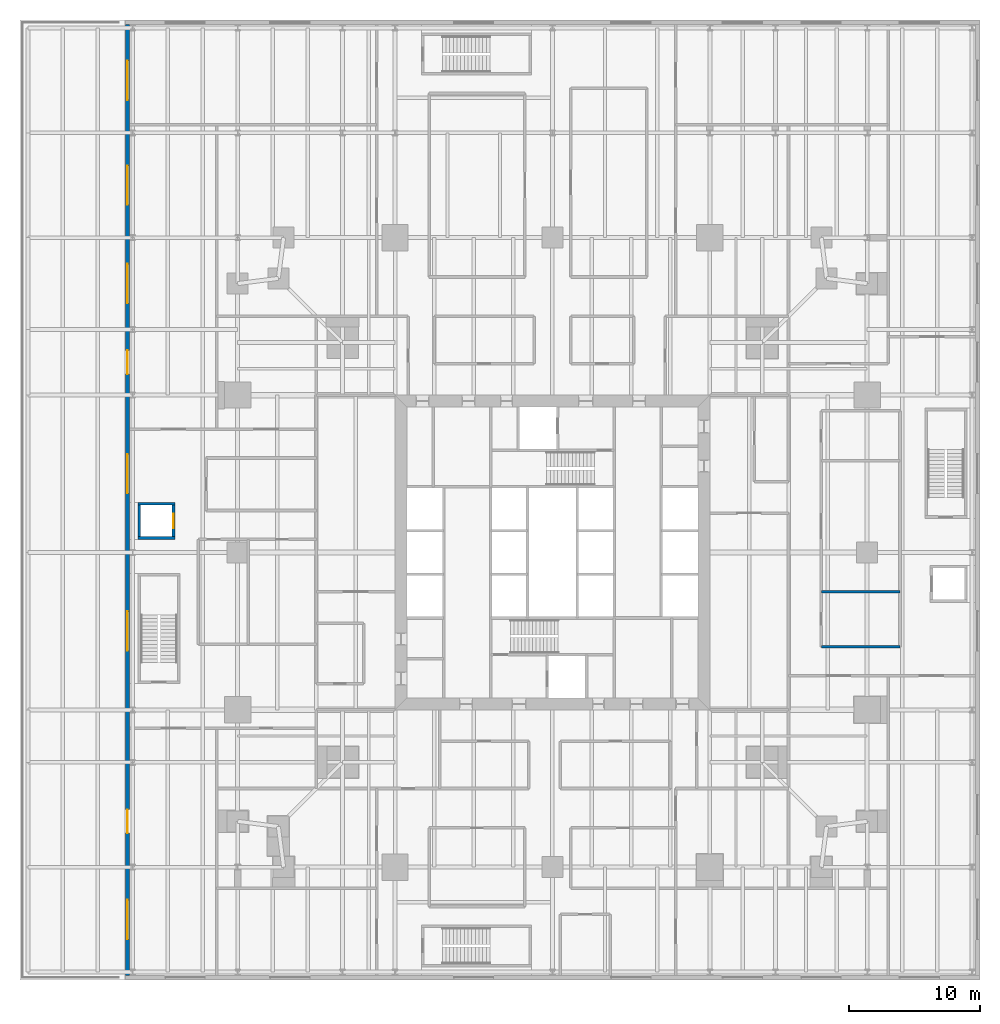
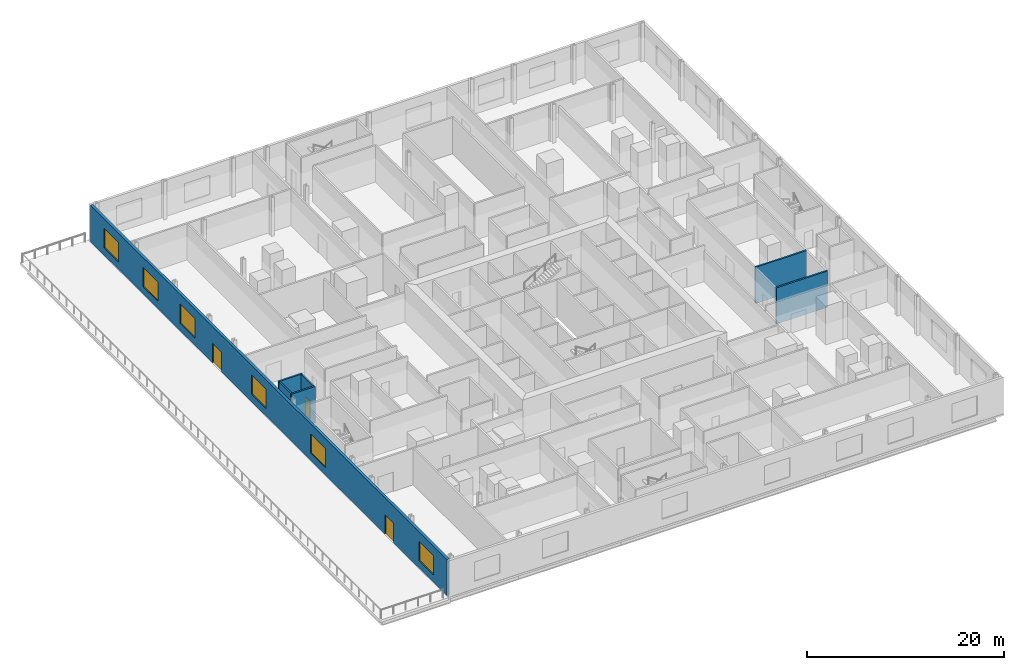
# One storey, part 10 of 17: 7 walls, 6 windows, 3 doors, 9 openings.
"""IFC4 building model written with IfcOpenShell, lengths in metres."""

from ifc_helpers import new_model, si_unit, direction, frame, frame_2d, origin, place, context, subcontext, project, spatial, rectangle, extrude, material, layer, layer_set, type_object, element, fill, save


model = new_model("IFC4")

# Units and contexts
model_context = context("Model", 3, precision=1e-05, world=origin(), true_north=direction((0.0, 1.0)))
body_context = subcontext(model_context, "Body", "Model", "MODEL_VIEW")
ifc_project = project(units=[si_unit("LENGTHUNIT", "METRE"), si_unit("AREAUNIT", "SQUARE_METRE"), si_unit("VOLUMEUNIT", "CUBIC_METRE"), si_unit("PLANEANGLEUNIT", "RADIAN"), si_unit("MASSUNIT", "GRAM", prefix="KILO")], contexts=[model_context])

# Site, building, storey
site_placement = place(None, origin())
site = spatial("IfcSite", under=ifc_project, at=site_placement, CompositionType="ELEMENT")
building_placement = place(site_placement, origin())
building = spatial("IfcBuilding", under=site, at=building_placement, Name="Fenwick Lantern Interchange", CompositionType="ELEMENT")
storey_placement = place(building_placement, frame((0.0, 0.0, 21.39990234375)))
storey = spatial("IfcBuildingStorey", under=building, at=storey_placement, Name="L04", CompositionType="ELEMENT", Elevation=21.39990234375)

# Wall
ifc_material_1 = material(Name="Concrete masonry ASTM C90 Grade N", Category="masonry")
ifc_layer_1 = layer(ifc_material_1, 0.199951171875)
ifc_layer_set_1 = layer_set([ifc_layer_1], Name="Concrete masonry ASTM C90 Grade N")
wall_type_1 = type_object("IfcWallType", Name="LIFT SHAFT WALL 200", PredefinedType="PARTITIONING", material=ifc_layer_set_1)
wall_1_placement = place(storey_placement, frame((-6.60009765625, 26.10009765625, 0.0), z_axis=(0.0, 0.0, 1.0), x_axis=(1.0, 0.0, 0.0)))
element("IfcWall", 1, at=wall_1_placement, inside=storey, type_object=wall_type_1, Name="L04/W/PL1/S", PredefinedType="PARTITIONING", context=body_context, shape_type="SweptSolid", body=[
    extrude(rectangle(XDim=2.800048828125, YDim=0.199951171875, at=frame_2d((1.39990234375, 0.0))), origin(), (0.0, 0.0, 1.0), 4.5),
])

# Wall, opening, door
wall_2_placement = place(storey_placement, frame((-3.89990234375, 26.199951171875, 0.0), z_axis=(0.0, 0.0, 1.0), x_axis=(0.0, 1.0, 0.0)))
wall_2 = element("IfcWall", 2, at=wall_2_placement, inside=storey, type_object=wall_type_1, Name="L04/W/PL1/E", PredefinedType="PARTITIONING", context=body_context, shape_type="SweptSolid", body=[
    extrude(rectangle(XDim=2.400146484375, YDim=0.199951171875, at=frame_2d((1.2001953125, 0.0))), origin(), (0.0, 0.0, 1.0), 4.5),
])
opening_1_placement = place(wall_2_placement, frame((0.64990234375, 0.0, 0.0)))
opening_1 = element("IfcOpeningElement", 3, at=opening_1_placement, cuts=wall_2, Name="Opening LD-PL1", PredefinedType="OPENING", context=body_context, shape_type="SweptSolid", body=[
    extrude(rectangle(XDim=1.10009765625, YDim=2.199951171875, at=frame_2d((0.550048828125, 1.10009765625))), frame((0.0, 0.10986328125, 0.0), z_axis=(0.0, -1.0, 0.0), x_axis=(1.0, 0.0, 0.0)), (0.0, 0.0, 1.0), 0.219970703125),
])
ifc_material_2 = material(Name="Steel door and frame", Category="steel")
door_type_1 = type_object("IfcDoorType", Name="LIFT LANDING DOOR 1100 X 2200", OperationType="DOUBLE_DOOR_SLIDING", PredefinedType="DOOR", material=ifc_material_2)
door_1_placement = place(opening_1_placement, origin())
door_1 = element("IfcDoor", 4, at=door_1_placement, inside=storey, type_object=door_type_1, Name="Lift landing door PL1", OperationType="DOUBLE_DOOR_SLIDING", OverallHeight=2.199951171875, OverallWidth=1.10009765625, PredefinedType="DOOR", context=body_context, shape_type="SweptSolid", body=[
    extrude(rectangle(XDim=1.10009765625, YDim=2.199951171875, at=frame_2d((0.550048828125, 1.10009765625))), frame((0.0, 0.02490234375, 0.0), z_axis=(0.0, -1.0, 0.0), x_axis=(1.0, 0.0, 0.0)), (0.0, 0.0, 1.0), 0.050048828125),
])
fill(opening_1, door_1)

# Walls
wall_3_placement = place(storey_placement, frame((-3.800048828125, 28.699951171875, 0.0), z_axis=(0.0, 0.0, 1.0), x_axis=(-1.0, 0.0, 0.0)))
element("IfcWall", 5, at=wall_3_placement, inside=storey, type_object=wall_type_1, Name="L04/W/PL1/N", PredefinedType="PARTITIONING", context=body_context, shape_type="SweptSolid", body=[
    extrude(rectangle(XDim=2.800048828125, YDim=0.199951171875, at=frame_2d((1.39990234375, 0.0))), origin(), (0.0, 0.0, 1.0), 4.5),
])
wall_4_placement = place(storey_placement, frame((-6.5, 28.60009765625, 0.0), z_axis=(0.0, 0.0, 1.0), x_axis=(0.0, -1.0, 0.0)))
element("IfcWall", 6, at=wall_4_placement, inside=storey, type_object=wall_type_1, Name="L04/W/PL1/W", PredefinedType="PARTITIONING", context=body_context, shape_type="SweptSolid", body=[
    extrude(rectangle(XDim=2.400146484375, YDim=0.199951171875, at=frame_2d((1.2001953125, 0.0))), origin(), (0.0, 0.0, 1.0), 4.5),
])

# Wall, openings, doors, windows
ifc_material_3 = material(Name="Limestone ASTM C568 Classification II", Category="masonry")
ifc_layer_2 = layer(ifc_material_3, 0.074951171875)
ifc_material_4 = material(Name="Mineral wool insulation")
ifc_layer_3 = layer(ifc_material_4, 0.125)
ifc_material_5 = material(Name="Cold-formed galvanised steel studs", Category="steel")
ifc_layer_4 = layer(ifc_material_5, 0.10009765625)
ifc_layer_set_2 = layer_set([ifc_layer_2, ifc_layer_3, ifc_layer_4], Name="Limestone ASTM C568 Classification II")
wall_type_2 = type_object("IfcWallType", Name="LIMESTONE RAINSCREEN WALL 300", PredefinedType="SOLIDWALL", material=ifc_layer_set_2)
wall_5_placement = place(storey_placement, frame((-7.39990234375, 65.25, 0.0), z_axis=(0.0, 0.0, 1.0), x_axis=(0.0, -1.0, 0.0)))
wall_5 = element("IfcWall", 7, at=wall_5_placement, inside=storey, type_object=wall_type_2, Name="L04/EW/W", PredefinedType="SOLIDWALL", context=body_context, shape_type="SweptSolid", body=[
    extrude(rectangle(XDim=72.5, YDim=0.300048828125, at=frame_2d((36.25, 0.0))), origin(), (0.0, 0.0, 1.0), 4.5),
])
opening_2_placement = place(wall_5_placement, frame((24.85009765625, 0.0, 0.0)))
opening_2 = element("IfcOpeningElement", 8, at=opening_2_placement, cuts=wall_5, Name="Opening L04-D001", PredefinedType="OPENING", context=body_context, shape_type="SweptSolid", body=[
    extrude(rectangle(XDim=1.800048828125, YDim=2.39990234375, at=frame_2d((0.89990234375, 1.199951171875))), frame((0.0, 0.159912109375, 0.0), z_axis=(0.0, -1.0, 0.0), x_axis=(1.0, 0.0, 0.0)), (0.0, 0.0, 1.0), 0.320068359375),
])
opening_3_placement = place(wall_5_placement, frame((59.85009765625, 0.0, 0.0)))
opening_3 = element("IfcOpeningElement", 9, at=opening_3_placement, cuts=wall_5, Name="Opening L04-D002", PredefinedType="OPENING", context=body_context, shape_type="SweptSolid", body=[
    extrude(rectangle(XDim=1.800048828125, YDim=2.39990234375, at=frame_2d((0.89990234375, 1.199951171875))), frame((0.0, 0.159912109375, 0.0), z_axis=(0.0, -1.0, 0.0), x_axis=(1.0, 0.0, 0.0)), (0.0, 0.0, 1.0), 0.320068359375),
])
opening_4_placement = place(wall_5_placement, frame((66.75, 0.0, 0.89990234375)))
opening_4 = element("IfcOpeningElement", 10, at=opening_4_placement, cuts=wall_5, Name="Opening W1", PredefinedType="OPENING", context=body_context, shape_type="SweptSolid", body=[
    extrude(rectangle(XDim=3.0, YDim=2.39990234375, at=frame_2d((1.5, 1.199951171875))), frame((0.0, 0.159912109375, 0.0), z_axis=(0.0, -1.0, 0.0), x_axis=(1.0, 0.0, 0.0)), (0.0, 0.0, 1.0), 0.320068359375),
])
opening_5_placement = place(wall_5_placement, frame((44.75, 0.0, 0.89990234375)))
opening_5 = element("IfcOpeningElement", 11, at=opening_5_placement, cuts=wall_5, Name="Opening W1", PredefinedType="OPENING", context=body_context, shape_type="SweptSolid", body=[
    extrude(rectangle(XDim=3.0, YDim=2.39990234375, at=frame_2d((1.5, 1.199951171875))), frame((0.0, 0.159912109375, 0.0), z_axis=(0.0, -1.0, 0.0), x_axis=(1.0, 0.0, 0.0)), (0.0, 0.0, 1.0), 0.320068359375),
])
opening_6_placement = place(wall_5_placement, frame((32.75, 0.0, 0.89990234375)))
opening_6 = element("IfcOpeningElement", 12, at=opening_6_placement, cuts=wall_5, Name="Opening W1", PredefinedType="OPENING", context=body_context, shape_type="SweptSolid", body=[
    extrude(rectangle(XDim=3.0, YDim=2.39990234375, at=frame_2d((1.5, 1.199951171875))), frame((0.0, 0.159912109375, 0.0), z_axis=(0.0, -1.0, 0.0), x_axis=(1.0, 0.0, 0.0)), (0.0, 0.0, 1.0), 0.320068359375),
])
opening_7_placement = place(wall_5_placement, frame((18.25, 0.0, 0.89990234375)))
opening_7 = element("IfcOpeningElement", 13, at=opening_7_placement, cuts=wall_5, Name="Opening W1", PredefinedType="OPENING", context=body_context, shape_type="SweptSolid", body=[
    extrude(rectangle(XDim=3.0, YDim=2.39990234375, at=frame_2d((1.5, 1.199951171875))), frame((0.0, 0.159912109375, 0.0), z_axis=(0.0, -1.0, 0.0), x_axis=(1.0, 0.0, 0.0)), (0.0, 0.0, 1.0), 0.320068359375),
])
opening_8_placement = place(wall_5_placement, frame((10.75, 0.0, 0.89990234375)))
opening_8 = element("IfcOpeningElement", 14, at=opening_8_placement, cuts=wall_5, Name="Opening W1", PredefinedType="OPENING", context=body_context, shape_type="SweptSolid", body=[
    extrude(rectangle(XDim=3.0, YDim=2.39990234375, at=frame_2d((1.5, 1.199951171875))), frame((0.0, 0.159912109375, 0.0), z_axis=(0.0, -1.0, 0.0), x_axis=(1.0, 0.0, 0.0)), (0.0, 0.0, 1.0), 0.320068359375),
])
opening_9_placement = place(wall_5_placement, frame((2.75, 0.0, 0.89990234375)))
opening_9 = element("IfcOpeningElement", 15, at=opening_9_placement, cuts=wall_5, Name="Opening W1", PredefinedType="OPENING", context=body_context, shape_type="SweptSolid", body=[
    extrude(rectangle(XDim=3.0, YDim=2.39990234375, at=frame_2d((1.5, 1.199951171875))), frame((0.0, 0.159912109375, 0.0), z_axis=(0.0, -1.0, 0.0), x_axis=(1.0, 0.0, 0.0)), (0.0, 0.0, 1.0), 0.320068359375),
])
ifc_material_6 = material(Name="Aluminium glazed door", Category="aluminium")
door_type_2 = type_object("IfcDoorType", Name="ENTRANCE DOOR PAIR 1800 X 2400", OperationType="DOUBLE_DOOR_SINGLE_SWING", PredefinedType="DOOR", material=ifc_material_6)
door_2_placement = place(opening_2_placement, origin())
door_2 = element("IfcDoor", 16, at=door_2_placement, inside=storey, type_object=door_type_2, Name="Entrance door pair", OperationType="DOUBLE_DOOR_SINGLE_SWING", OverallHeight=2.39990234375, OverallWidth=1.800048828125, PredefinedType="DOOR", context=body_context, shape_type="SweptSolid", body=[
    extrude(rectangle(XDim=1.800048828125, YDim=2.39990234375, at=frame_2d((0.89990234375, 1.199951171875))), frame((0.0, 0.02490234375, 0.0), z_axis=(0.0, -1.0, 0.0), x_axis=(1.0, 0.0, 0.0)), (0.0, 0.0, 1.0), 0.050048828125),
])
fill(opening_2, door_2)
door_3_placement = place(opening_3_placement, origin())
door_3 = element("IfcDoor", 17, at=door_3_placement, inside=storey, type_object=door_type_2, Name="Entrance door pair", OperationType="DOUBLE_DOOR_SINGLE_SWING", OverallHeight=2.39990234375, OverallWidth=1.800048828125, PredefinedType="DOOR", context=body_context, shape_type="SweptSolid", body=[
    extrude(rectangle(XDim=1.800048828125, YDim=2.39990234375, at=frame_2d((0.89990234375, 1.199951171875))), frame((0.0, 0.02490234375, 0.0), z_axis=(0.0, -1.0, 0.0), x_axis=(1.0, 0.0, 0.0)), (0.0, 0.0, 1.0), 0.050048828125),
])
fill(opening_3, door_3)
ifc_material_7 = material(Name="Aluminium window, clear glass", Category="aluminium")
window_type = type_object("IfcWindowType", Name="PODIUM WINDOW 3000 X 2400", PartitioningType="SINGLE_PANEL", PredefinedType="WINDOW", material=ifc_material_7)
window_1_placement = place(opening_4_placement, origin())
window_1 = element("IfcWindow", 18, at=window_1_placement, inside=storey, type_object=window_type, Name="Podium window", OverallHeight=2.39990234375, OverallWidth=3.0, PartitioningType="SINGLE_PANEL", PredefinedType="WINDOW", context=body_context, shape_type="SweptSolid", body=[
    extrude(rectangle(XDim=3.0, YDim=2.39990234375, at=frame_2d((1.5, 1.199951171875))), frame((0.0, 0.030029296875, 0.0), z_axis=(0.0, -1.0, 0.0), x_axis=(1.0, 0.0, 0.0)), (0.0, 0.0, 1.0), 0.06005859375),
])
fill(opening_4, window_1)
window_2_placement = place(opening_5_placement, origin())
window_2 = element("IfcWindow", 19, at=window_2_placement, inside=storey, type_object=window_type, Name="Podium window", OverallHeight=2.39990234375, OverallWidth=3.0, PartitioningType="SINGLE_PANEL", PredefinedType="WINDOW", context=body_context, shape_type="SweptSolid", body=[
    extrude(rectangle(XDim=3.0, YDim=2.39990234375, at=frame_2d((1.5, 1.199951171875))), frame((0.0, 0.030029296875, 0.0), z_axis=(0.0, -1.0, 0.0), x_axis=(1.0, 0.0, 0.0)), (0.0, 0.0, 1.0), 0.06005859375),
])
fill(opening_5, window_2)
window_3_placement = place(opening_6_placement, origin())
window_3 = element("IfcWindow", 20, at=window_3_placement, inside=storey, type_object=window_type, Name="Podium window", OverallHeight=2.39990234375, OverallWidth=3.0, PartitioningType="SINGLE_PANEL", PredefinedType="WINDOW", context=body_context, shape_type="SweptSolid", body=[
    extrude(rectangle(XDim=3.0, YDim=2.39990234375, at=frame_2d((1.5, 1.199951171875))), frame((0.0, 0.030029296875, 0.0), z_axis=(0.0, -1.0, 0.0), x_axis=(1.0, 0.0, 0.0)), (0.0, 0.0, 1.0), 0.06005859375),
])
fill(opening_6, window_3)
window_4_placement = place(opening_7_placement, origin())
window_4 = element("IfcWindow", 21, at=window_4_placement, inside=storey, type_object=window_type, Name="Podium window", OverallHeight=2.39990234375, OverallWidth=3.0, PartitioningType="SINGLE_PANEL", PredefinedType="WINDOW", context=body_context, shape_type="SweptSolid", body=[
    extrude(rectangle(XDim=3.0, YDim=2.39990234375, at=frame_2d((1.5, 1.199951171875))), frame((0.0, 0.030029296875, 0.0), z_axis=(0.0, -1.0, 0.0), x_axis=(1.0, 0.0, 0.0)), (0.0, 0.0, 1.0), 0.06005859375),
])
fill(opening_7, window_4)
window_5_placement = place(opening_8_placement, origin())
window_5 = element("IfcWindow", 22, at=window_5_placement, inside=storey, type_object=window_type, Name="Podium window", OverallHeight=2.39990234375, OverallWidth=3.0, PartitioningType="SINGLE_PANEL", PredefinedType="WINDOW", context=body_context, shape_type="SweptSolid", body=[
    extrude(rectangle(XDim=3.0, YDim=2.39990234375, at=frame_2d((1.5, 1.199951171875))), frame((0.0, 0.030029296875, 0.0), z_axis=(0.0, -1.0, 0.0), x_axis=(1.0, 0.0, 0.0)), (0.0, 0.0, 1.0), 0.06005859375),
])
fill(opening_8, window_5)
window_6_placement = place(opening_9_placement, origin())
window_6 = element("IfcWindow", 23, at=window_6_placement, inside=storey, type_object=window_type, Name="Podium window", OverallHeight=2.39990234375, OverallWidth=3.0, PartitioningType="SINGLE_PANEL", PredefinedType="WINDOW", context=body_context, shape_type="SweptSolid", body=[
    extrude(rectangle(XDim=3.0, YDim=2.39990234375, at=frame_2d((1.5, 1.199951171875))), frame((0.0, 0.030029296875, 0.0), z_axis=(0.0, -1.0, 0.0), x_axis=(1.0, 0.0, 0.0)), (0.0, 0.0, 1.0), 0.06005859375),
])
fill(opening_9, window_6)

# Walls
ifc_material_8 = material(Name="Gypsum board on steel studs, 1 hour", Category="steel")
ifc_layer_5 = layer(ifc_material_8, 0.199951171875)
ifc_layer_set_3 = layer_set([ifc_layer_5], Name="ROOM WALL 200")
wall_type_3 = type_object("IfcWallType", Name="ROOM WALL 200", PredefinedType="PARTITIONING", material=ifc_layer_set_3)
for number, where, z_axis, x_axis, name in (
    (24, (45.5, 17.800048828125, 0.0), (0.0, 0.0, 1.0), (1.0, 0.0, 0.0), "L04/W/POD/Y17.8-1"),
    (25, (45.5, 22.0, 0.0), (0.0, 0.0, 1.0), (1.0, 0.0, 0.0), "L04/W/POD/Y22-2"),
):
    element("IfcWall", number, at=place(storey_placement, frame(where, z_axis=z_axis, x_axis=x_axis)), inside=storey, type_object=wall_type_3, Name=name, PredefinedType="PARTITIONING", context=body_context, shape_type="SweptSolid", body=[
        extrude(rectangle(XDim=6.0, YDim=0.199951171875, at=frame_2d((3.0, 0.0))), origin(), (0.0, 0.0, 1.0), 4.5),
    ])

save(model, "model.ifc")
